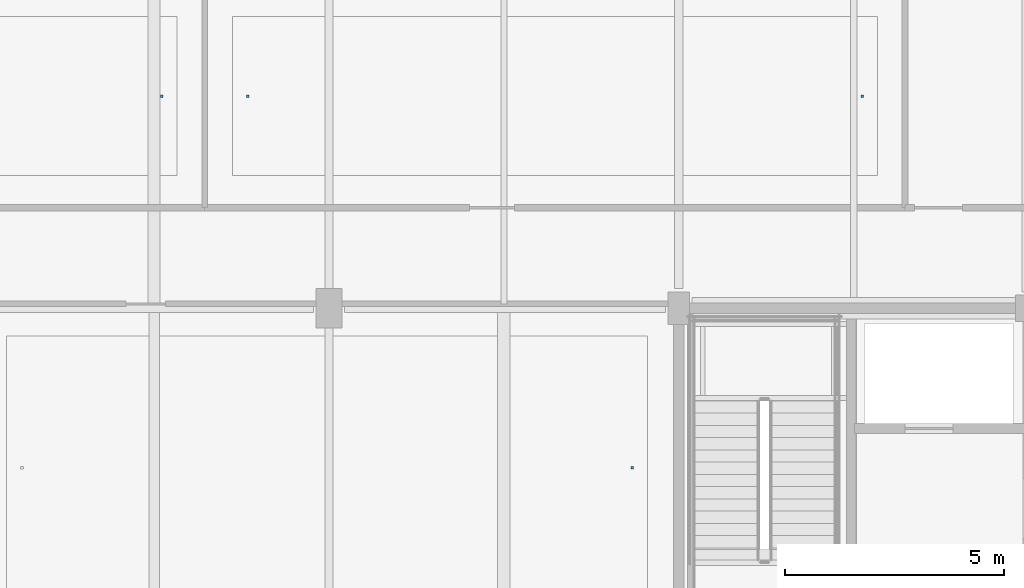
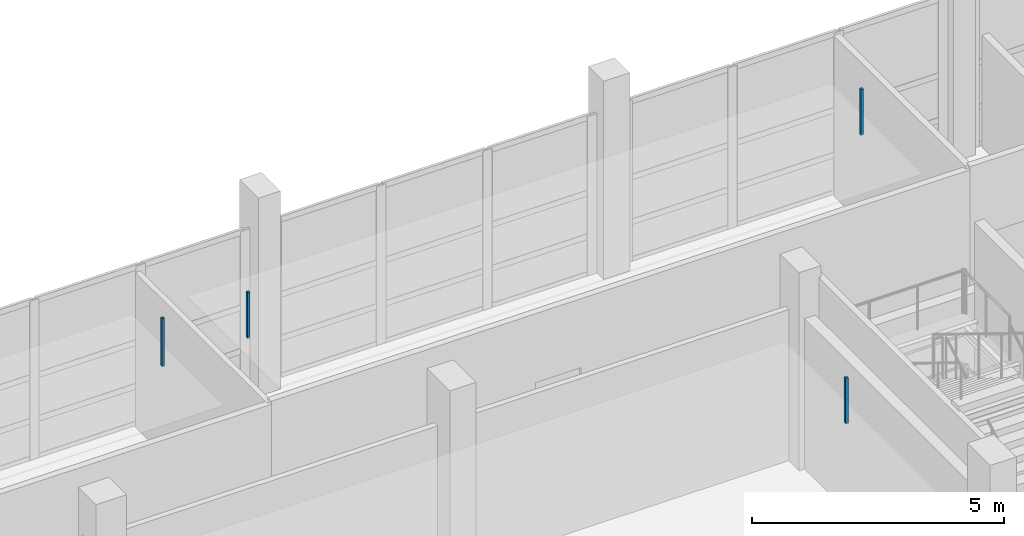
# One storey, part 105 of 141: 4 discrete accessories.
"""IFC4 building model written with IfcOpenShell, lengths in metres."""

from ifc_helpers import new_model, si_unit, direction, frame, origin, origin_2d, place, context, subcontext, project, spatial, rectangle, extrude, material, type_object, element, save


model = new_model("IFC4")

# Units and contexts
model_context = context("Model", 3, precision=1e-05, world=origin(), true_north=direction((0.0, 1.0)))
body_context = subcontext(model_context, "Body", "Model", "MODEL_VIEW")
ifc_project = project(units=[si_unit("LENGTHUNIT", "METRE"), si_unit("AREAUNIT", "SQUARE_METRE"), si_unit("VOLUMEUNIT", "CUBIC_METRE"), si_unit("PLANEANGLEUNIT", "RADIAN"), si_unit("MASSUNIT", "GRAM", prefix="KILO")], contexts=[model_context])

# Site, building, storey
site_placement = place(None, origin())
site = spatial("IfcSite", under=ifc_project, at=site_placement, CompositionType="ELEMENT")
building_placement = place(site_placement, origin())
building = spatial("IfcBuilding", under=site, at=building_placement, Name="Khelvaren Railside Concert Hall", CompositionType="ELEMENT")
storey_placement = place(building_placement, frame((0.0, 0.0, 10.199951171875)))
storey = spatial("IfcBuildingStorey", under=building, at=storey_placement, Name="L02", CompositionType="ELEMENT", Elevation=10.199951171875)

# Discrete accessories
ifc_material = material(Name="Galvanised steel acoustic ceiling hanger rod", Category="steel")
discrete_accessory_type = type_object("IfcDiscreteAccessoryType", Name="BRK62", PredefinedType="BRACKET", material=ifc_material)
discrete_accessory_placement = place(storey_placement, frame((108.178955078125, 12.449951171875, 3.43017578125), z_axis=(0.0, 0.0, 1.0), x_axis=(1.0, 0.0, 0.0)))
element("IfcDiscreteAccessory", 1, at=discrete_accessory_placement, inside=storey, type_object=discrete_accessory_type, Name="Acoustic Ceiling Suspension Bracket 85-2", PredefinedType="BRACKET", context=body_context, shape_type="SweptSolid", body=[
    extrude(rectangle(XDim=0.06005859375, YDim=0.06005859375, at=origin_2d()), origin(), (0.0, 0.0, 1.0), 1.169921875),
])
for number, where, z_axis, x_axis, name in (
    (2, (110.138916015625, 12.449951171875, 3.43017578125), (0.0, 0.0, 1.0), (1.0, 0.0, 0.0), "Acoustic Ceiling Suspension Bracket 86-1"),
    (3, (124.194091796875, 12.449951171875, 3.43017578125), (0.0, 0.0, 1.0), (1.0, 0.0, 0.0), "Acoustic Ceiling Suspension Bracket 86-2"),
    (4, (118.93994140625, 3.949951171875, 3.43017578125), (0.0, 0.0, 1.0), (1.0, 0.0, 0.0), "Acoustic Ceiling Suspension Bracket 89-2"),
):
    element("IfcDiscreteAccessory", number, at=place(storey_placement, frame(where, z_axis=z_axis, x_axis=x_axis)), inside=storey, type_object=discrete_accessory_type, Name=name, PredefinedType="BRACKET", context=body_context, shape_type="SweptSolid", body=[
        extrude(rectangle(XDim=0.06005859375, YDim=0.06005859375, at=origin_2d()), origin(), (0.0, 0.0, 1.0), 1.110107421875),
    ])

save(model, "model.ifc")
